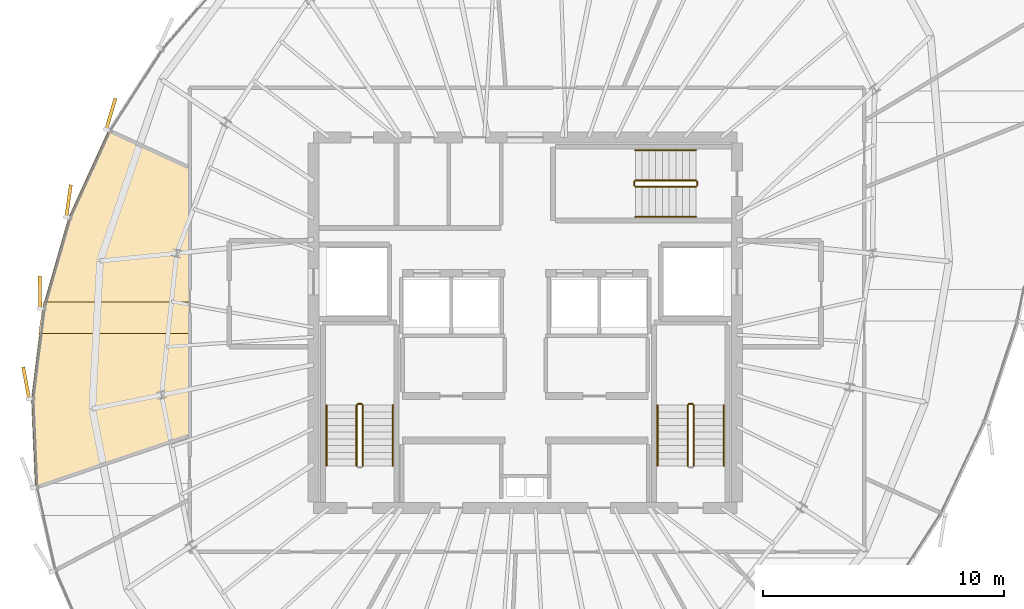
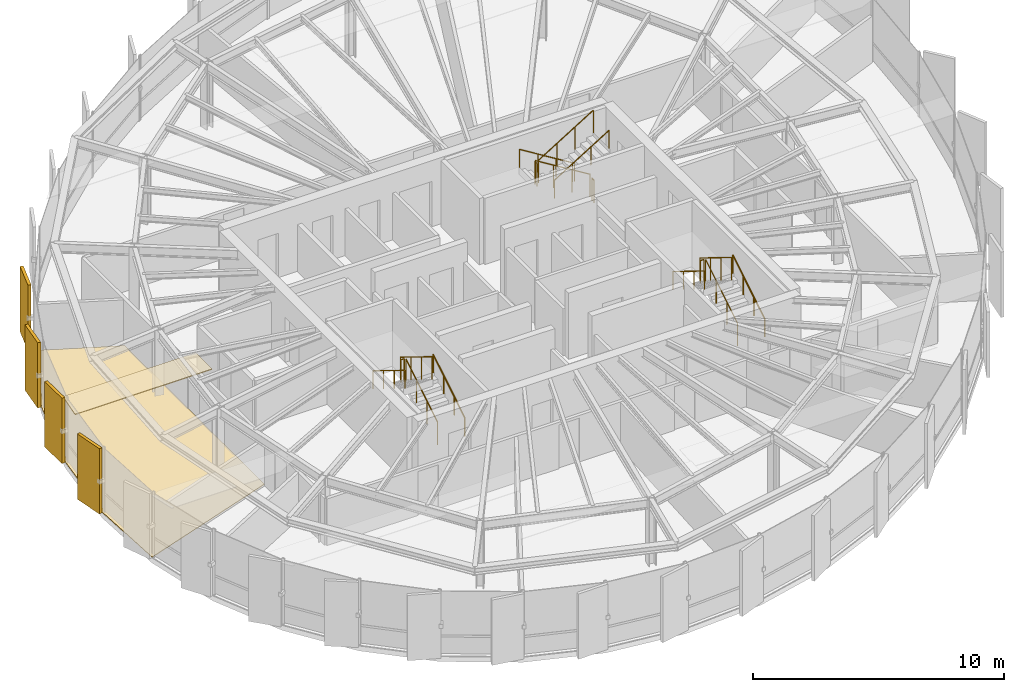
# One storey, part 34 of 35: 16 railings, 6 coverings.
"""IFC4 building model written with IfcOpenShell, lengths in metres."""

from ifc_helpers import new_model, si_unit, direction, frame, origin, origin_2d, place, context, subcontext, project, spatial, polyline, rectangle, circle, outline, extrude, source, transform, mapped, material, layer, layer_set, type_object, element, save


model = new_model("IFC4")

# Units and contexts
model_context = context("Model", 3, precision=1e-05, world=origin(), true_north=direction((0.0, 1.0)))
body_context = subcontext(model_context, "Body", "Model", "MODEL_VIEW")
ifc_project = project(units=[si_unit("LENGTHUNIT", "METRE"), si_unit("AREAUNIT", "SQUARE_METRE"), si_unit("VOLUMEUNIT", "CUBIC_METRE"), si_unit("PLANEANGLEUNIT", "RADIAN"), si_unit("MASSUNIT", "GRAM", prefix="KILO"), si_unit("THERMODYNAMICTEMPERATUREUNIT", "KELVIN")], contexts=[model_context])

# Site, building, storey
site_placement = place(None, origin())
site = spatial("IfcSite", under=ifc_project, at=site_placement, CompositionType="ELEMENT")
building_placement = place(site_placement, origin())
building = spatial("IfcBuilding", under=site, at=building_placement, Name="Kethvar Cultural Tower", CompositionType="ELEMENT")
storey_placement = place(building_placement, frame((0.0, 0.0, 249.10009765625)))
storey = spatial("IfcBuildingStorey", under=building, at=storey_placement, Name="L65", CompositionType="ELEMENT", Elevation=249.10009765625)

# Coverings
ifc_material_1 = material(Name="Acoustic Mineral Fibre Ceiling")
ifc_layer_1 = layer(ifc_material_1, 0.0400390625, Name="Acoustic Mineral Fibre Ceiling")
ifc_layer_set_1 = layer_set([ifc_layer_1], Name="Acoustic Mineral Fibre Ceiling (40 mm)")
covering_type_1 = type_object("IfcCoveringType", Name="CV-ACOUSTIC-CEIL", PredefinedType="CEILING", material=ifc_layer_set_1)
covering_1_placement = place(storey_placement, frame((0.0, 0.0, 3.0)))
element("IfcCovering", 1, at=covering_1_placement, inside=storey, type_object=covering_type_1, Name="L65 Room 12 Acoustic Ceiling Panel", PredefinedType="CEILING", context=body_context, shape_type="SweptSolid", body=[
    extrude(outline(polyline([(26.575439453125, 27.3525390625), (26.777587890625, 28.66259765625), (32.8701171875, 28.66259765625), (32.8701171875, 27.3525390625), (26.575439453125, 27.3525390625)])), origin(), (0.0, 0.0, 1.0), 0.039794921875),
])
ifc_material_2 = material(Name="Architectural Oak Timber", Category="wood")
ifc_layer_2 = layer(ifc_material_2, 0.02490234375, Name="Architectural Oak Timber", Category="wood")
ifc_layer_set_2 = layer_set([ifc_layer_2], Name="Architectural Oak Timber (25 mm)")
covering_type_2 = type_object("IfcCoveringType", Name="CV-OAK-FLOOR", PredefinedType="FLOORING", material=ifc_layer_set_2)
covering_2_placement = place(storey_placement, origin())
element("IfcCovering", 2, at=covering_2_placement, inside=storey, type_object=covering_type_2, Name="L65 Room 12 Floor Finish", PredefinedType="FLOORING", context=body_context, shape_type="SweptSolid", body=[
    extrude(outline(polyline([(26.279541015625, 24.63134765625), (26.74609375, 28.406982421875), (27.822021484375, 32.164794921875), (29.46728515625, 35.772705078125), (32.830078125, 34.221435546875), (32.830078125, 23.1259765625), (26.435302734375, 20.976806640625), (26.279541015625, 24.63134765625)])), origin(), (0.0, 0.0, 1.0), 0.02490234375),
])

# Railings
ifc_material_3 = material(Name="Steel S355J2", Category="steel")
railing_type_1 = type_object("IfcRailingType", Name="RL-STAIR-GUARD", PredefinedType="BALUSTRADE", material=ifc_material_3)
railing_1_placement = place(storey_placement, frame((40.050048828125, 21.85009765625, 0.17236328125)))
element("IfcRailing", 3, at=railing_1_placement, inside=storey, type_object=railing_type_1, Name="L65 ST-01 stair guard 1", PredefinedType="BALUSTRADE", context=body_context, shape_type="SweptSolid", body=[
    extrude(circle(Radius=0.02392578125, at=origin_2d()), frame((0.0, 0.0, 1.09619140625), z_axis=(0.0, 0.851400495292, 0.524516154772), x_axis=(-1.0, 0.0, 0.0)), (0.0, 0.0, 1.0), 2.9599609375),
    extrude(circle(Radius=0.02099609375, at=origin_2d()), origin(), (0.0, 0.0, 1.0), 1.072021484375),
    extrude(circle(Radius=0.02099609375, at=origin_2d()), frame((0.0, 0.840087890625, 0.517578125)), (0.0, 0.0, 1.0), 1.072021484375),
    extrude(circle(Radius=0.02099609375, at=origin_2d()), frame((0.0, 1.679931640625, 1.034912109375)), (0.0, 0.0, 1.0), 1.072021484375),
    extrude(circle(Radius=0.02099609375, at=origin_2d()), frame((0.0, 2.52001953125, 1.552490234375)), (0.0, 0.0, 1.0), 1.072021484375),
])
railing_2_placement = place(storey_placement, frame((40.0, 24.419921875, 1.724853515625)))
element("IfcRailing", 4, at=railing_2_placement, inside=storey, type_object=railing_type_1, Name="L65 ST-01 stair guard 2", PredefinedType="BALUSTRADE", context=body_context, shape_type="SweptSolid", body=[
    extrude(circle(Radius=0.02392578125, at=origin_2d()), frame((0.0, 0.0, 1.09619140625), z_axis=(-1.0, 0.0, 0.0), x_axis=(0.0, -1.0, 0.0)), (0.0, 0.0, 1.0), 0.159912109375),
    extrude(circle(Radius=0.02099609375, at=origin_2d()), origin(), (0.0, 0.0, 1.0), 1.072021484375),
    extrude(circle(Radius=0.02099609375, at=origin_2d()), frame((-0.159912109375, 0.0, 0.0)), (0.0, 0.0, 1.0), 1.072021484375),
])
railing_3_placement = place(storey_placement, frame((39.7900390625, 24.3701171875, 1.8974609375)))
element("IfcRailing", 5, at=railing_3_placement, inside=storey, type_object=railing_type_1, Name="L65 ST-01 stair guard 3", PredefinedType="BALUSTRADE", context=body_context, shape_type="SweptSolid", body=[
    extrude(circle(Radius=0.02392578125, at=origin_2d()), frame((0.0, 0.0, 1.09619140625), z_axis=(0.0, -0.851400495292, 0.524516154772), x_axis=(1.0, 0.0, 0.0)), (0.0, 0.0, 1.0), 2.9599609375),
    extrude(circle(Radius=0.02099609375, at=origin_2d()), origin(), (0.0, 0.0, 1.0), 1.072021484375),
    extrude(circle(Radius=0.02099609375, at=origin_2d()), frame((0.0, -0.840087890625, 0.517578125)), (0.0, 0.0, 1.0), 1.072021484375),
    extrude(circle(Radius=0.02099609375, at=origin_2d()), frame((0.0, -1.679931640625, 1.034912109375)), (0.0, 0.0, 1.0), 1.072021484375),
    extrude(circle(Radius=0.02099609375, at=origin_2d()), frame((0.0, -2.52001953125, 1.552490234375)), (0.0, 0.0, 1.0), 1.072021484375),
])
railing_4_placement = place(storey_placement, frame((53.81005859375, 21.85009765625, 0.17236328125)))
element("IfcRailing", 6, at=railing_4_placement, inside=storey, type_object=railing_type_1, Name="L65 ST-02 stair guard 1", PredefinedType="BALUSTRADE", context=body_context, shape_type="SweptSolid", body=[
    extrude(circle(Radius=0.02392578125, at=origin_2d()), frame((0.0, 0.0, 1.09619140625), z_axis=(0.0, 0.851400495292, 0.524516154772), x_axis=(-1.0, 0.0, 0.0)), (0.0, 0.0, 1.0), 2.9599609375),
    extrude(circle(Radius=0.02099609375, at=origin_2d()), origin(), (0.0, 0.0, 1.0), 1.072021484375),
    extrude(circle(Radius=0.02099609375, at=origin_2d()), frame((0.0, 0.840087890625, 0.517578125)), (0.0, 0.0, 1.0), 1.072021484375),
    extrude(circle(Radius=0.02099609375, at=origin_2d()), frame((0.0, 1.679931640625, 1.034912109375)), (0.0, 0.0, 1.0), 1.072021484375),
    extrude(circle(Radius=0.02099609375, at=origin_2d()), frame((0.0, 2.52001953125, 1.552490234375)), (0.0, 0.0, 1.0), 1.072021484375),
])
railing_5_placement = place(storey_placement, frame((53.760009765625, 24.419921875, 1.724853515625)))
element("IfcRailing", 7, at=railing_5_placement, inside=storey, type_object=railing_type_1, Name="L65 ST-02 stair guard 2", PredefinedType="BALUSTRADE", context=body_context, shape_type="SweptSolid", body=[
    extrude(circle(Radius=0.02392578125, at=origin_2d()), frame((0.0, 0.0, 1.09619140625), z_axis=(-1.0, 0.0, 0.0), x_axis=(0.0, -1.0, 0.0)), (0.0, 0.0, 1.0), 0.159912109375),
    extrude(circle(Radius=0.02099609375, at=origin_2d()), origin(), (0.0, 0.0, 1.0), 1.072021484375),
    extrude(circle(Radius=0.02099609375, at=origin_2d()), frame((-0.159912109375, 0.0, 0.0)), (0.0, 0.0, 1.0), 1.072021484375),
])
railing_6_placement = place(storey_placement, frame((53.550048828125, 24.3701171875, 1.8974609375)))
element("IfcRailing", 8, at=railing_6_placement, inside=storey, type_object=railing_type_1, Name="L65 ST-02 stair guard 3", PredefinedType="BALUSTRADE", context=body_context, shape_type="SweptSolid", body=[
    extrude(circle(Radius=0.02392578125, at=origin_2d()), frame((0.0, 0.0, 1.09619140625), z_axis=(0.0, -0.851400495292, 0.524516154772), x_axis=(1.0, 0.0, 0.0)), (0.0, 0.0, 1.0), 2.9599609375),
    extrude(circle(Radius=0.02099609375, at=origin_2d()), origin(), (0.0, 0.0, 1.0), 1.072021484375),
    extrude(circle(Radius=0.02099609375, at=origin_2d()), frame((0.0, -0.840087890625, 0.517578125)), (0.0, 0.0, 1.0), 1.072021484375),
    extrude(circle(Radius=0.02099609375, at=origin_2d()), frame((0.0, -1.679931640625, 1.034912109375)), (0.0, 0.0, 1.0), 1.072021484375),
    extrude(circle(Radius=0.02099609375, at=origin_2d()), frame((0.0, -2.52001953125, 1.552490234375)), (0.0, 0.0, 1.0), 1.072021484375),
])
railing_7_placement = place(storey_placement, frame((53.89990234375, 33.7099609375, 0.17236328125)))
element("IfcRailing", 9, at=railing_7_placement, inside=storey, type_object=railing_type_1, Name="L65 ST-03 stair guard 1", PredefinedType="BALUSTRADE", context=body_context, shape_type="SweptSolid", body=[
    extrude(circle(Radius=0.02392578125, at=origin_2d()), frame((0.0, 0.0, 1.09619140625), z_axis=(-0.851400495292, 0.0, 0.524516154772), x_axis=(0.0, -1.0, 0.0)), (0.0, 0.0, 1.0), 2.9599609375),
    extrude(circle(Radius=0.02099609375, at=origin_2d()), origin(), (0.0, 0.0, 1.0), 1.072021484375),
    extrude(circle(Radius=0.02099609375, at=origin_2d()), frame((-0.840087890625, 0.0, 0.517578125)), (0.0, 0.0, 1.0), 1.072021484375),
    extrude(circle(Radius=0.02099609375, at=origin_2d()), frame((-1.679931640625, 0.0, 1.034912109375)), (0.0, 0.0, 1.0), 1.072021484375),
    extrude(circle(Radius=0.02099609375, at=origin_2d()), frame((-2.52001953125, 0.0, 1.552490234375)), (0.0, 0.0, 1.0), 1.072021484375),
])
railing_8_placement = place(storey_placement, frame((51.330078125, 33.659912109375, 1.724853515625)))
element("IfcRailing", 10, at=railing_8_placement, inside=storey, type_object=railing_type_1, Name="L65 ST-03 stair guard 2", PredefinedType="BALUSTRADE", context=body_context, shape_type="SweptSolid", body=[
    extrude(circle(Radius=0.02392578125, at=origin_2d()), frame((0.0, 0.0, 1.09619140625), z_axis=(0.0, -1.0, 0.0), x_axis=(1.0, 0.0, 0.0)), (0.0, 0.0, 1.0), 0.159912109375),
    extrude(circle(Radius=0.02099609375, at=origin_2d()), origin(), (0.0, 0.0, 1.0), 1.072021484375),
    extrude(circle(Radius=0.02099609375, at=origin_2d()), frame((0.0, -0.159912109375, 0.0)), (0.0, 0.0, 1.0), 1.072021484375),
])
railing_9_placement = place(storey_placement, frame((51.3798828125, 33.449951171875, 1.8974609375)))
element("IfcRailing", 11, at=railing_9_placement, inside=storey, type_object=railing_type_1, Name="L65 ST-03 stair guard 3", PredefinedType="BALUSTRADE", context=body_context, shape_type="SweptSolid", body=[
    extrude(circle(Radius=0.02392578125, at=origin_2d()), frame((0.0, 0.0, 1.09619140625), z_axis=(0.851400495292, 0.0, 0.524516154772), x_axis=(0.0, 1.0, 0.0)), (0.0, 0.0, 1.0), 2.9599609375),
    extrude(circle(Radius=0.02099609375, at=origin_2d()), origin(), (0.0, 0.0, 1.0), 1.072021484375),
    extrude(circle(Radius=0.02099609375, at=origin_2d()), frame((0.840087890625, 0.0, 0.517578125)), (0.0, 0.0, 1.0), 1.072021484375),
    extrude(circle(Radius=0.02099609375, at=origin_2d()), frame((1.679931640625, 0.0, 1.034912109375)), (0.0, 0.0, 1.0), 1.072021484375),
    extrude(circle(Radius=0.02099609375, at=origin_2d()), frame((2.52001953125, 0.0, 1.552490234375)), (0.0, 0.0, 1.0), 1.072021484375),
])
railing_10_placement = place(storey_placement, frame((53.949951171875, 33.659912109375, 0.0)))
element("IfcRailing", 12, at=railing_10_placement, inside=storey, type_object=railing_type_1, Name="L65 ST-03 stair guard 4", PredefinedType="BALUSTRADE", context=body_context, shape_type="SweptSolid", body=[
    extrude(circle(Radius=0.02392578125, at=origin_2d()), frame((0.0, 0.0, 1.09619140625), z_axis=(0.0, -1.0, 0.0), x_axis=(1.0, 0.0, 0.0)), (0.0, 0.0, 1.0), 0.159912109375),
    extrude(circle(Radius=0.02099609375, at=origin_2d()), origin(), (0.0, 0.0, 1.0), 1.072021484375),
    extrude(circle(Radius=0.02099609375, at=origin_2d()), frame((0.0, -0.159912109375, 0.0)), (0.0, 0.0, 1.0), 1.072021484375),
])
railing_type_2 = type_object("IfcRailingType", Name="RL-STAIR-HANDRAIL", PredefinedType="HANDRAIL", material=ifc_material_3)
railing_11_placement = place(storey_placement, frame((41.300048828125, 21.85009765625, 0.17236328125)))
element("IfcRailing", 13, at=railing_11_placement, inside=storey, type_object=railing_type_2, Name="L65 ST-01 stair handrail 1", PredefinedType="HANDRAIL", context=body_context, shape_type="SweptSolid", body=[
    extrude(circle(Radius=0.02392578125, at=origin_2d()), frame((0.0, 0.0, 0.8759765625), z_axis=(0.0, 0.851400495292, 0.524516154772), x_axis=(-1.0, 0.0, 0.0)), (0.0, 0.0, 1.0), 2.9599609375),
    extrude(circle(Radius=0.02099609375, at=origin_2d()), origin(), (0.0, 0.0, 1.0), 0.851806640625),
    extrude(circle(Radius=0.02099609375, at=origin_2d()), frame((0.0, 0.840087890625, 0.517578125)), (0.0, 0.0, 1.0), 0.851806640625),
    extrude(circle(Radius=0.02099609375, at=origin_2d()), frame((0.0, 1.679931640625, 1.034912109375)), (0.0, 0.0, 1.0), 0.851806640625),
    extrude(circle(Radius=0.02099609375, at=origin_2d()), frame((0.0, 2.52001953125, 1.552490234375)), (0.0, 0.0, 1.0), 0.851806640625),
])
railing_12_placement = place(storey_placement, frame((38.5400390625, 24.3701171875, 1.8974609375)))
element("IfcRailing", 14, at=railing_12_placement, inside=storey, type_object=railing_type_2, Name="L65 ST-01 stair handrail 2", PredefinedType="HANDRAIL", context=body_context, shape_type="SweptSolid", body=[
    extrude(circle(Radius=0.02392578125, at=origin_2d()), frame((0.0, 0.0, 0.8759765625), z_axis=(0.0, -0.851400495292, 0.524516154772), x_axis=(1.0, 0.0, 0.0)), (0.0, 0.0, 1.0), 2.9599609375),
    extrude(circle(Radius=0.02099609375, at=origin_2d()), origin(), (0.0, 0.0, 1.0), 0.851806640625),
    extrude(circle(Radius=0.02099609375, at=origin_2d()), frame((0.0, -0.840087890625, 0.517578125)), (0.0, 0.0, 1.0), 0.851806640625),
    extrude(circle(Radius=0.02099609375, at=origin_2d()), frame((0.0, -1.679931640625, 1.034912109375)), (0.0, 0.0, 1.0), 0.851806640625),
    extrude(circle(Radius=0.02099609375, at=origin_2d()), frame((0.0, -2.52001953125, 1.552490234375)), (0.0, 0.0, 1.0), 0.851806640625),
])
railing_13_placement = place(storey_placement, frame((55.06005859375, 21.85009765625, 0.17236328125)))
element("IfcRailing", 15, at=railing_13_placement, inside=storey, type_object=railing_type_2, Name="L65 ST-02 stair handrail 1", PredefinedType="HANDRAIL", context=body_context, shape_type="SweptSolid", body=[
    extrude(circle(Radius=0.02392578125, at=origin_2d()), frame((0.0, 0.0, 0.8759765625), z_axis=(0.0, 0.851400495292, 0.524516154772), x_axis=(-1.0, 0.0, 0.0)), (0.0, 0.0, 1.0), 2.9599609375),
    extrude(circle(Radius=0.02099609375, at=origin_2d()), origin(), (0.0, 0.0, 1.0), 0.851806640625),
    extrude(circle(Radius=0.02099609375, at=origin_2d()), frame((0.0, 0.840087890625, 0.517578125)), (0.0, 0.0, 1.0), 0.851806640625),
    extrude(circle(Radius=0.02099609375, at=origin_2d()), frame((0.0, 1.679931640625, 1.034912109375)), (0.0, 0.0, 1.0), 0.851806640625),
    extrude(circle(Radius=0.02099609375, at=origin_2d()), frame((0.0, 2.52001953125, 1.552490234375)), (0.0, 0.0, 1.0), 0.851806640625),
])
railing_14_placement = place(storey_placement, frame((52.300048828125, 24.3701171875, 1.8974609375)))
element("IfcRailing", 16, at=railing_14_placement, inside=storey, type_object=railing_type_2, Name="L65 ST-02 stair handrail 2", PredefinedType="HANDRAIL", context=body_context, shape_type="SweptSolid", body=[
    extrude(circle(Radius=0.02392578125, at=origin_2d()), frame((0.0, 0.0, 0.8759765625), z_axis=(0.0, -0.851400495292, 0.524516154772), x_axis=(1.0, 0.0, 0.0)), (0.0, 0.0, 1.0), 2.9599609375),
    extrude(circle(Radius=0.02099609375, at=origin_2d()), origin(), (0.0, 0.0, 1.0), 0.851806640625),
    extrude(circle(Radius=0.02099609375, at=origin_2d()), frame((0.0, -0.840087890625, 0.517578125)), (0.0, 0.0, 1.0), 0.851806640625),
    extrude(circle(Radius=0.02099609375, at=origin_2d()), frame((0.0, -1.679931640625, 1.034912109375)), (0.0, 0.0, 1.0), 0.851806640625),
    extrude(circle(Radius=0.02099609375, at=origin_2d()), frame((0.0, -2.52001953125, 1.552490234375)), (0.0, 0.0, 1.0), 0.851806640625),
])
railing_15_placement = place(storey_placement, frame((53.89990234375, 34.9599609375, 0.17236328125)))
element("IfcRailing", 17, at=railing_15_placement, inside=storey, type_object=railing_type_2, Name="L65 ST-03 stair handrail 1", PredefinedType="HANDRAIL", context=body_context, shape_type="SweptSolid", body=[
    extrude(circle(Radius=0.02392578125, at=origin_2d()), frame((0.0, 0.0, 0.8759765625), z_axis=(-0.851400495292, 0.0, 0.524516154772), x_axis=(0.0, -1.0, 0.0)), (0.0, 0.0, 1.0), 2.9599609375),
    extrude(circle(Radius=0.02099609375, at=origin_2d()), origin(), (0.0, 0.0, 1.0), 0.851806640625),
    extrude(circle(Radius=0.02099609375, at=origin_2d()), frame((-0.840087890625, 0.0, 0.517578125)), (0.0, 0.0, 1.0), 0.851806640625),
    extrude(circle(Radius=0.02099609375, at=origin_2d()), frame((-1.679931640625, 0.0, 1.034912109375)), (0.0, 0.0, 1.0), 0.851806640625),
    extrude(circle(Radius=0.02099609375, at=origin_2d()), frame((-2.52001953125, 0.0, 1.552490234375)), (0.0, 0.0, 1.0), 0.851806640625),
])
railing_16_placement = place(storey_placement, frame((51.3798828125, 32.199951171875, 1.8974609375)))
element("IfcRailing", 18, at=railing_16_placement, inside=storey, type_object=railing_type_2, Name="L65 ST-03 stair handrail 2", PredefinedType="HANDRAIL", context=body_context, shape_type="SweptSolid", body=[
    extrude(circle(Radius=0.02392578125, at=origin_2d()), frame((0.0, 0.0, 0.8759765625), z_axis=(0.851400495292, 0.0, 0.524516154772), x_axis=(0.0, 1.0, 0.0)), (0.0, 0.0, 1.0), 2.9599609375),
    extrude(circle(Radius=0.02099609375, at=origin_2d()), origin(), (0.0, 0.0, 1.0), 0.851806640625),
    extrude(circle(Radius=0.02099609375, at=origin_2d()), frame((0.840087890625, 0.0, 0.517578125)), (0.0, 0.0, 1.0), 0.851806640625),
    extrude(circle(Radius=0.02099609375, at=origin_2d()), frame((1.679931640625, 0.0, 1.034912109375)), (0.0, 0.0, 1.0), 0.851806640625),
    extrude(circle(Radius=0.02099609375, at=origin_2d()), frame((2.52001953125, 0.0, 1.552490234375)), (0.0, 0.0, 1.0), 0.851806640625),
])

# Coverings
ifc_material_4 = material(Name="Extruded Architectural Terracotta", Category="masonry")
ifc_layer_3 = layer(ifc_material_4, 0.135009765625, Name="Extruded Architectural Terracotta", Category="masonry")
ifc_layer_set_3 = layer_set([ifc_layer_3], Name="Extruded Architectural Terracotta (135 mm)")
covering_type_3 = type_object("IfcCoveringType", Name="Terracotta Facade Fin FIN-03", PredefinedType="CLADDING", material=ifc_layer_set_3)
shared_shape = source(origin(), body_context, "Body", "SweptSolid", [
    extrude(rectangle(XDim=1.35009765625, YDim=0.135009765625, at=origin_2d()), origin(), (0.0, 0.0, 1.0), 3.169921875),
])
for number, where, z_axis, x_axis, name in (
    (19, (29.576416015625, 36.4794921875, 0.02001953125), (0.0, 0.0, 1.0), (0.28418268599, 0.958770150236, 0.0), "L65 Vertical Terracotta Fin 2.5"),
    (20, (27.820068359375, 32.862060546875, 0.02001953125), (0.0, 0.0, 1.0), (0.138827423723, 0.990316588987, 0.0), "L65 Vertical Terracotta Fin 2.6"),
    (21, (26.63134765625, 29.060302734375, 0.02001953125), (0.0, 0.0, 1.0), (-0.016754376869, 0.999859635577, 0.0), "L65 Vertical Terracotta Fin 3.1"),
    (22, (26.05712890625, 25.29248046875, 0.02001953125), (0.0, 0.0, 1.0), (-0.181205763627, 0.983445204995, 0.0), "L65 Vertical Terracotta Fin 3.2"),
):
    element("IfcCovering", number, at=place(storey_placement, frame(where, z_axis=z_axis, x_axis=x_axis)), inside=storey, type_object=covering_type_3, Name=name, PredefinedType="CLADDING", context=body_context, shape_type="MappedRepresentation", body=[
        mapped(shared_shape, transform((0.0, 0.0, 0.0), scale=1.0)),
    ])

save(model, "model.ifc")
